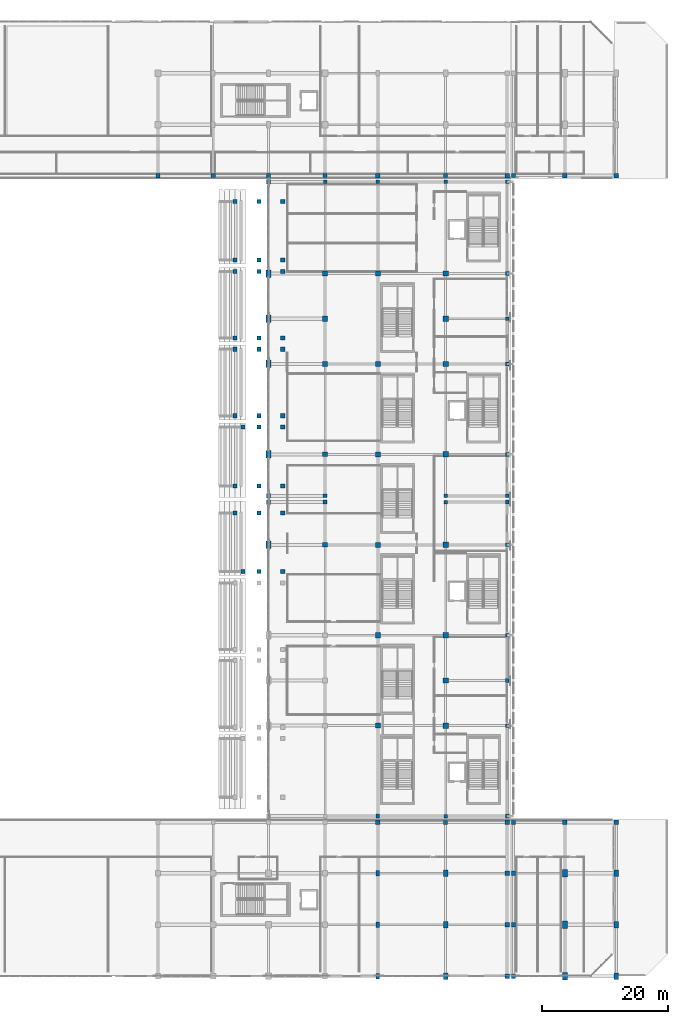
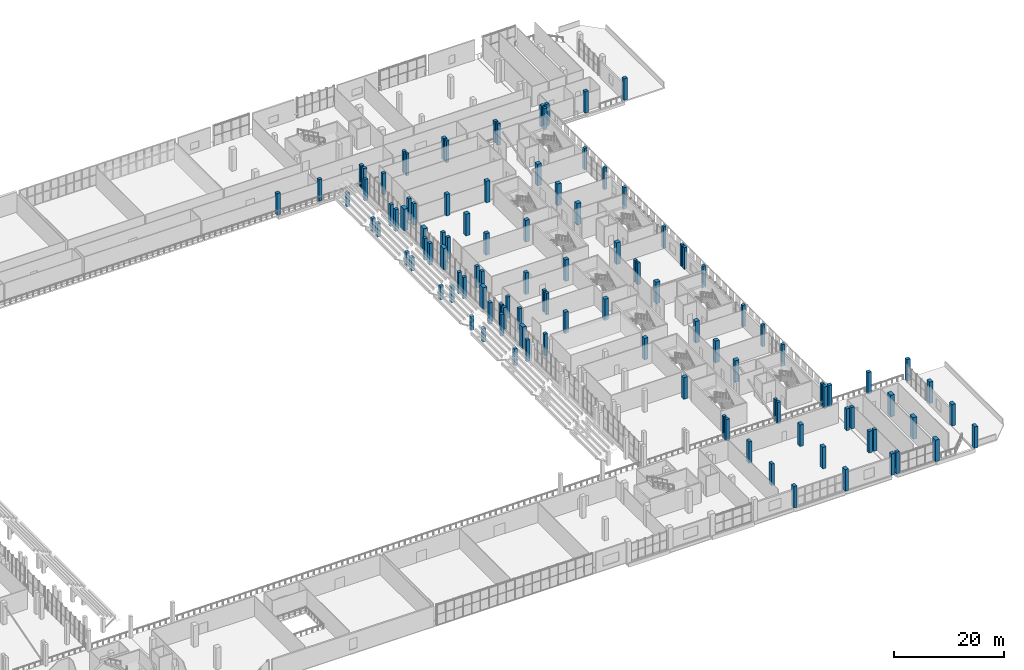
# One storey, part 9 of 142: 112 columns.
"""IFC4 building model written with IfcOpenShell, lengths in metres."""

import ifcopenshell
import ifcopenshell.guid

model = None  # the IFC model being written
_history = None  # IfcOwnerHistory: only IFC2X3 demands one
_inside = {}  # id of a spatial element -> (the spatial element, [elements in it])
_under = {}  # id of a project, library or spatial element -> (it, [spatial elements below it])
_declared = {}  # id of a project -> (the project, [libraries it declares])
_typed = {}  # id of a type object -> (the type object, [elements of that type])
_made_of = {}  # id of a material, layer set ... -> (it, [elements and type objects made of it])


def new_model(schema):
    """Start an empty IFC model of exactly this schema.

    Asked for "IFC4X3", IfcOpenShell would pick the latest addendum, in which some entities
    have other attributes; the version numbers below select the first issue.
    IFC2X3 requires an IfcOwnerHistory on every rooted entity: one is made here for all.
    """
    global model, _history
    if schema == "IFC4X3":
        model = ifcopenshell.file(schema_version=(4, 3, 0, 0))
    else:
        model = ifcopenshell.file(schema=schema)
    _inside.clear()
    _under.clear()
    _declared.clear()
    _typed.clear()
    _made_of.clear()
    _history = None
    if model.schema == "IFC2X3":
        org = make("IfcOrganization", Name="unknown")
        user = make(
            "IfcPersonAndOrganization",
            ThePerson=make("IfcPerson", FamilyName="unknown"),
            TheOrganization=org,
        )
        app = make(
            "IfcApplication",
            ApplicationDeveloper=org,
            Version="unknown",
            ApplicationFullName="unknown",
            ApplicationIdentifier="unknown",
        )
        _history = make(
            "IfcOwnerHistory",
            OwningUser=user,
            OwningApplication=app,
            ChangeAction="ADDED",
            CreationDate=0,
        )
    return model


def make(cls, **values):
    """One entity of the class cls with the attributes given. An attribute that is None is left unset."""
    return model.create_entity(
        cls, **{name: value for name, value in values.items() if value is not None}
    )


def rooted(cls, **values):
    """An entity with a GlobalId (a new one), such as an element, a storey or a relation."""
    return make(cls, GlobalId=ifcopenshell.guid.new(), OwnerHistory=_history, **values)


def si_unit(unit_type, name, prefix=None):
    """IfcSIUnit, for example si_unit("LENGTHUNIT", "METRE", prefix="MILLI")."""
    return make("IfcSIUnit", UnitType=unit_type, Prefix=prefix, Name=name)


def assignment(units):
    """IfcUnitAssignment: the units of a project."""
    return None if units is None else make("IfcUnitAssignment", Units=units)


def point(xyz):
    """IfcCartesianPoint."""
    return None if xyz is None else make("IfcCartesianPoint", Coordinates=xyz)


def direction(xyz):
    """IfcDirection."""
    return None if xyz is None else make("IfcDirection", DirectionRatios=xyz)


def frame(location, z_axis=None, x_axis=None):
    """IfcAxis2Placement3D, a coordinate frame: its origin and axes. An axis left out is left unset."""
    return make(
        "IfcAxis2Placement3D",
        Location=point(location),
        Axis=direction(z_axis),
        RefDirection=direction(x_axis),
    )


def frame_2d(location, x_axis=None):
    """IfcAxis2Placement2D, a coordinate frame in the plane: its origin and x axis."""
    return make(
        "IfcAxis2Placement2D", Location=point(location), RefDirection=direction(x_axis)
    )


def origin():
    """The frame at (0, 0, 0) with its axes left unset."""
    return frame((0.0, 0.0, 0.0))


def origin_2d():
    """The frame at (0, 0) in the plane with its x axis left unset."""
    return frame_2d((0.0, 0.0))


def place(relative_to, where):
    """IfcLocalPlacement: puts the frame where relative to a parent placement (None: the world)."""
    return make(
        "IfcLocalPlacement", PlacementRelTo=relative_to, RelativePlacement=where
    )


def context(
    kind, dimensions, precision=None, world=None, true_north=None, identifier=None
):
    """IfcGeometricRepresentationContext, for example the 3D "Model" context."""
    return make(
        "IfcGeometricRepresentationContext",
        ContextIdentifier=identifier,
        ContextType=kind,
        CoordinateSpaceDimension=dimensions,
        Precision=precision,
        WorldCoordinateSystem=world,
        TrueNorth=true_north,
    )


def subcontext(parent, identifier, kind, view, scale=None):
    """IfcGeometricRepresentationSubContext, for example "Body" below "Model"."""
    return make(
        "IfcGeometricRepresentationSubContext",
        ContextIdentifier=identifier,
        ContextType=kind,
        ParentContext=parent,
        TargetScale=scale,
        TargetView=view,
    )


def project(units=None, contexts=None):
    """IfcProject with its units and contexts."""
    return rooted(
        "IfcProject",
        Name="project",
        RepresentationContexts=contexts,
        UnitsInContext=assignment(units),
    )


def spatial(cls, under=None, at=None, **own):
    """A site, building, storey or space (cls), placed at a placement, below another one or the project."""
    s = rooted(cls, ObjectPlacement=at, **own)
    if under is not None:
        _under.setdefault(under.id(), (under, []))[1].append(s)
    return s


def profile(cls, at=None, kind="AREA", **sizes):
    """A parametric profile (cls). Its sizes go by their IFC names, for example OverallWidth=200.0."""
    return make(cls, ProfileType=kind, Position=at, **sizes)


def rectangle(**sizes):
    """IfcRectangleProfileDef."""
    return profile("IfcRectangleProfileDef", **sizes)


def extrude(swept, where, along, depth):
    """IfcExtrudedAreaSolid: the profile swept, set in the frame where, extruded along a direction by depth."""
    return make(
        "IfcExtrudedAreaSolid",
        SweptArea=swept,
        Position=where,
        ExtrudedDirection=direction(along),
        Depth=depth,
    )


def shape(context_of_items, identifier, shape_type, items):
    """IfcShapeRepresentation: the items that make up one representation, for example the "Body"."""
    return make(
        "IfcShapeRepresentation",
        ContextOfItems=context_of_items,
        RepresentationIdentifier=identifier,
        RepresentationType=shape_type,
        Items=items,
    )


def material(Name=None, Category=None):
    """IfcMaterial."""
    return make("IfcMaterial", Name=Name, Category=Category)


def material_profile(
    of_material, cross_section, Name=None, Category=None, Priority=None
):
    """IfcMaterialProfile: a cross section and its material."""
    return make(
        "IfcMaterialProfile",
        Name=Name,
        Material=of_material,
        Profile=cross_section,
        Priority=Priority,
        Category=Category,
    )


def profile_set(profiles, Name=None, composite=None):
    """IfcMaterialProfileSet."""
    return make(
        "IfcMaterialProfileSet",
        Name=Name,
        MaterialProfiles=profiles,
        CompositeProfile=composite,
    )


def made_of(thing, what):
    """Note that an element or type object is made of a material, layer set ...; save() writes the relation."""
    if what is not None:
        _made_of.setdefault(what.id(), (what, []))[1].append(thing)
    return thing


def type_object(cls, material=None, **own):
    """A type object (cls), such as IfcWallType, which elements share."""
    return made_of(rooted(cls, **own), material)


def element(
    cls,
    number,
    at=None,
    inside=None,
    cuts=None,
    type_object=None,
    material=None,
    context=None,
    identifier="Body",
    shape_type=None,
    held_by="IfcProductDefinitionShape",
    body=None,
    shapes=None,
    **own,
):
    """One element of the class cls, such as IfcWall. Its Tag is "e" and its number.

    at: its placement. inside: the storey or other place that contains it. cuts: it is an
    opening in that element (IfcRelVoidsElement). A single representation is given by context,
    identifier, shape_type and body (its items); several are given by shapes. held_by: the class
    of the entity that holds the representations. save() writes the other relations.
    """
    e = rooted(cls, Tag="e%d" % number, ObjectPlacement=at, **own)
    if body is not None:
        shapes = [shape(context, identifier, shape_type, body)]
    if shapes is not None:
        e.Representation = make(held_by, Representations=shapes)
    if inside is not None:
        _inside.setdefault(inside.id(), (inside, []))[1].append(e)
    if cuts is not None:
        rooted(
            "IfcRelVoidsElement", RelatingBuildingElement=cuts, RelatedOpeningElement=e
        )
    if type_object is not None:
        _typed.setdefault(type_object.id(), (type_object, []))[1].append(e)
    return made_of(e, material)


def aggregate(whole, parts):
    """IfcRelAggregates: a whole, such as a stair, and the parts it consists of."""
    return rooted("IfcRelAggregates", RelatingObject=whole, RelatedObjects=parts)


def save(model, path):
    """Write the relations noted so far, then the file.

    IfcRelAggregates (storeys below a building ...), IfcRelContainedInSpatialStructure (elements
    in a storey), IfcRelDefinesByType, IfcRelAssociatesMaterial and IfcRelDeclares: one each for
    every whole, place, type object, material and project.
    """
    for whole, parts in _under.values():
        aggregate(whole, parts)
    for where, things in _inside.values():
        rooted(
            "IfcRelContainedInSpatialStructure",
            RelatedElements=things,
            RelatingStructure=where,
        )
    for kind, things in _typed.values():
        rooted("IfcRelDefinesByType", RelatedObjects=things, RelatingType=kind)
    for what, things in _made_of.values():
        rooted("IfcRelAssociatesMaterial", RelatedObjects=things, RelatingMaterial=what)
    for by, libraries in _declared.values():
        rooted("IfcRelDeclares", RelatingContext=by, RelatedDefinitions=libraries)
    model.write(path)


model = new_model("IFC4")

# Units and contexts
model_context = context("Model", 3, precision=1e-05, world=origin(), true_north=direction((0.0, 1.0)))
body_context = subcontext(model_context, "Body", "Model", "MODEL_VIEW")
ifc_project = project(units=[si_unit("LENGTHUNIT", "METRE"), si_unit("AREAUNIT", "SQUARE_METRE"), si_unit("VOLUMEUNIT", "CUBIC_METRE"), si_unit("PLANEANGLEUNIT", "RADIAN"), si_unit("MASSUNIT", "GRAM", prefix="KILO")], contexts=[model_context])

# Site, building, storey
site_placement = place(None, origin())
site = spatial("IfcSite", under=ifc_project, at=site_placement, CompositionType="ELEMENT")
building_placement = place(site_placement, origin())
building = spatial("IfcBuilding", under=site, at=building_placement, Name="Koshinbarg Plaza Stadium", CompositionType="ELEMENT")
storey_placement = place(building_placement, frame((0.0, 0.0, 10.199951171875)))
storey = spatial("IfcBuildingStorey", under=building, at=storey_placement, Name="L02", CompositionType="ELEMENT", Elevation=10.199951171875)

# Columns
ifc_material = material(Name="Concrete C40/50", Category="concrete")
ifc_material_profile_1 = material_profile(ifc_material, rectangle(XDim=0.550048828125, YDim=0.550048828125, at=origin_2d()), Name="RC 550x550")
ifc_profile_set_1 = profile_set([ifc_material_profile_1], Name="Concrete C40/50")
column_type_1 = type_object("IfcColumnType", Name="COL-RC-03", PredefinedType="COLUMN", material=ifc_profile_set_1)
for number, where, z_axis, x_axis, name in (
    (1, (189.39990234375, 126.5, 0.0), (0.0, 0.0, 1.0), (1.0, 0.0, 0.0), "L02 column 18/R"),
    (2, (208.60009765625, 25.5, 0.0), (0.0, 0.0, 1.0), (1.0, 0.0, 0.0), "L02 column 20/E"),
    (3, (208.60009765625, 75.5, 0.0), (0.0, 0.0, 1.0), (1.0, 0.0, 0.0), "L02 column 20/K"),
    (4, (208.60009765625, 76.5, 0.0), (0.0, 0.0, 1.0), (1.0, 0.0, 0.0), "L02 column 20/L"),
    (5, (208.60009765625, 126.5, 0.0), (0.0, 0.0, 1.0), (1.0, 0.0, 0.0), "L02 column 20/R"),
):
    element("IfcColumn", number, at=place(storey_placement, frame(where, z_axis=z_axis, x_axis=x_axis)), inside=storey, type_object=column_type_1, Name=name, PredefinedType="COLUMN", context=body_context, shape_type="SweptSolid", body=[
        extrude(rectangle(XDim=0.550048828125, YDim=0.550048828125, at=origin_2d()), origin(), (0.0, 0.0, 1.0), 4.800048828125),
    ])
ifc_material_profile_2 = material_profile(ifc_material, rectangle(XDim=0.60009765625, YDim=0.60009765625, at=origin_2d()), Name="RC 600x600")
ifc_profile_set_2 = profile_set([ifc_material_profile_2], Name="Concrete C40/50")
column_type_2 = type_object("IfcColumnType", Name="COL-RC-04", PredefinedType="COLUMN", material=ifc_profile_set_2)
for number, where, z_axis, x_axis, name in (
    (6, (189.39990234375, 75.5, 0.0), (0.0, 0.0, 1.0), (1.0, 0.0, 0.0), "L02 column 18/K"),
    (7, (189.39990234375, 76.5, 0.0), (0.0, 0.0, 1.0), (1.0, 0.0, 0.0), "L02 column 18/L"),
    (8, (197.800048828125, 25.5, 0.0), (0.0, 0.0, 1.0), (1.0, 0.0, 0.0), "L02 column 19/E"),
    (9, (197.800048828125, 126.5, 0.0), (0.0, 0.0, 1.0), (1.0, 0.0, 0.0), "L02 column 19/R"),
    (10, (218.39990234375, 25.5, 0.0), (0.0, 0.0, 1.0), (1.0, 0.0, 0.0), "L02 column 21/E"),
    (11, (218.39990234375, 39.89990234375, 0.0), (0.0, 0.0, 1.0), (1.0, 0.0, 0.0), "L02 column 21/F"),
    (12, (218.39990234375, 47.10009765625, 0.0), (0.0, 0.0, 1.0), (1.0, 0.0, 0.0), "L02 column 21/G"),
    (13, (218.39990234375, 54.300048828125, 0.0), (0.0, 0.0, 1.0), (1.0, 0.0, 0.0), "L02 column 21/H"),
    (14, (218.39990234375, 68.699951171875, 0.0), (0.0, 0.0, 1.0), (1.0, 0.0, 0.0), "L02 column 21/J"),
    (15, (218.39990234375, 75.5, 0.0), (0.0, 0.0, 1.0), (1.0, 0.0, 0.0), "L02 column 21/K"),
    (16, (218.39990234375, 76.5, 0.0), (0.0, 0.0, 1.0), (1.0, 0.0, 0.0), "L02 column 21/L"),
    (17, (218.39990234375, 83.10009765625, 0.0), (0.0, 0.0, 1.0), (1.0, 0.0, 0.0), "L02 column 21/M"),
    (18, (218.39990234375, 97.5, 0.0), (0.0, 0.0, 1.0), (1.0, 0.0, 0.0), "L02 column 21/N"),
    (19, (218.39990234375, 104.699951171875, 0.0), (0.0, 0.0, 1.0), (1.0, 0.0, 0.0), "L02 column 21/P"),
    (20, (218.39990234375, 111.89990234375, 0.0), (0.0, 0.0, 1.0), (1.0, 0.0, 0.0), "L02 column 21/Q"),
    (21, (218.39990234375, 126.5, 0.0), (0.0, 0.0, 1.0), (1.0, 0.0, 0.0), "L02 column 21/R"),
):
    element("IfcColumn", number, at=place(storey_placement, frame(where, z_axis=z_axis, x_axis=x_axis)), inside=storey, type_object=column_type_2, Name=name, PredefinedType="COLUMN", context=body_context, shape_type="SweptSolid", body=[
        extrude(rectangle(XDim=0.60009765625, YDim=0.60009765625, at=origin_2d()), origin(), (0.0, 0.0, 1.0), 4.800048828125),
    ])
ifc_material_profile_3 = material_profile(ifc_material, rectangle(XDim=0.64990234375, YDim=0.64990234375, at=origin_2d()), Name="RC 650x650")
ifc_profile_set_3 = profile_set([ifc_material_profile_3], Name="Concrete C40/50")
column_type_3 = type_object("IfcColumnType", Name="COL-RC-05", PredefinedType="COLUMN", material=ifc_profile_set_3)
for number, where, z_axis, x_axis, name in (
    (22, (171.60009765625, 127.5, 0.0), (0.0, 0.0, 1.0), (1.0, 0.0, 0.0), "L02 column 16/S"),
    (23, (189.39990234375, 127.5, 0.0), (0.0, 0.0, 1.0), (1.0, 0.0, 0.0), "L02 column 18/S"),
    (24, (208.60009765625, 24.5, 0.0), (0.0, 0.0, 1.0), (1.0, 0.0, 0.0), "L02 column 20/D"),
    (25, (208.60009765625, 127.5, 0.0), (0.0, 0.0, 1.0), (1.0, 0.0, 0.0), "L02 column 20/S"),
    (26, (219.39990234375, 0.0, 0.0), (0.0, 0.0, 1.0), (1.0, 0.0, 0.0), "L02 column 22/A"),
    (27, (219.39990234375, 8.199951171875, 0.0), (0.0, 0.0, 1.0), (1.0, 0.0, 0.0), "L02 column 22/B"),
    (28, (219.39990234375, 16.39990234375, 0.0), (0.0, 0.0, 1.0), (1.0, 0.0, 0.0), "L02 column 22/C"),
    (29, (219.39990234375, 24.5, 0.0), (0.0, 0.0, 1.0), (1.0, 0.0, 0.0), "L02 column 22/D"),
    (30, (219.39990234375, 127.5, 0.0), (0.0, 0.0, 1.0), (1.0, 0.0, 0.0), "L02 column 22/S"),
):
    element("IfcColumn", number, at=place(storey_placement, frame(where, z_axis=z_axis, x_axis=x_axis)), inside=storey, type_object=column_type_3, Name=name, PredefinedType="COLUMN", context=body_context, shape_type="SweptSolid", body=[
        extrude(rectangle(XDim=0.64990234375, YDim=0.64990234375, at=origin_2d()), origin(), (0.0, 0.0, 1.0), 4.800048828125),
    ])
column_1_placement = place(storey_placement, frame((176.330078125, 64.449951171875, 0.0), z_axis=(0.0, 0.0, 1.0), x_axis=(1.0, 0.0, 0.0)))
element("IfcColumn", 31, at=column_1_placement, inside=storey, type_object=column_type_3, Name="L02 bowl raker column UT-E04-L-CF", PredefinedType="COLUMN", context=body_context, shape_type="SweptSolid", body=[
    extrude(rectangle(XDim=0.64990234375, YDim=0.64990234375, at=origin_2d()), origin(), (0.0, 0.0, 1.0), 3.7265625),
])
for number, where, z_axis, x_axis, name in (
    (32, (178.89990234375, 64.449951171875, 0.0), (0.0, 0.0, 1.0), (1.0, 0.0, 0.0), "L02 bowl raker column UT-E04-L-CM"),
    (33, (182.659912109375, 64.449951171875, 0.0), (0.0, 0.0, 1.0), (1.0, 0.0, 0.0), "L02 bowl raker column UT-E04-L-CB"),
):
    element("IfcColumn", number, at=place(storey_placement, frame(where, z_axis=z_axis, x_axis=x_axis)), inside=storey, type_object=column_type_3, Name=name, PredefinedType="COLUMN", context=body_context, shape_type="SweptSolid", body=[
        extrude(rectangle(XDim=0.64990234375, YDim=0.64990234375, at=origin_2d()), origin(), (0.0, 0.0, 1.0), 4.800048828125),
    ])
column_2_placement = place(storey_placement, frame((175.080078125, 73.800048828125, 0.0), z_axis=(0.0, 0.0, 1.0), x_axis=(1.0, 0.0, 0.0)))
element("IfcColumn", 34, at=column_2_placement, inside=storey, type_object=column_type_3, Name="L02 bowl raker column UT-E04-R-CF", PredefinedType="COLUMN", context=body_context, shape_type="SweptSolid", body=[
    extrude(rectangle(XDim=0.64990234375, YDim=0.64990234375, at=origin_2d()), origin(), (0.0, 0.0, 1.0), 3.082763671875),
])
for number, where, z_axis, x_axis, name in (
    (35, (178.89990234375, 73.800048828125, 0.0), (0.0, 0.0, 1.0), (1.0, 0.0, 0.0), "L02 bowl raker column UT-E04-R-CM"),
    (36, (182.659912109375, 73.800048828125, 0.0), (0.0, 0.0, 1.0), (1.0, 0.0, 0.0), "L02 bowl raker column UT-E04-R-CB"),
):
    element("IfcColumn", number, at=place(storey_placement, frame(where, z_axis=z_axis, x_axis=x_axis)), inside=storey, type_object=column_type_3, Name=name, PredefinedType="COLUMN", context=body_context, shape_type="SweptSolid", body=[
        extrude(rectangle(XDim=0.64990234375, YDim=0.64990234375, at=origin_2d()), origin(), (0.0, 0.0, 1.0), 4.800048828125),
    ])
column_3_placement = place(storey_placement, frame((175.080078125, 78.10009765625, 0.0), z_axis=(0.0, 0.0, 1.0), x_axis=(1.0, 0.0, 0.0)))
element("IfcColumn", 37, at=column_3_placement, inside=storey, type_object=column_type_3, Name="L02 bowl raker column UT-E05-L-CF", PredefinedType="COLUMN", context=body_context, shape_type="SweptSolid", body=[
    extrude(rectangle(XDim=0.64990234375, YDim=0.64990234375, at=origin_2d()), origin(), (0.0, 0.0, 1.0), 3.082763671875),
])
for number, where, z_axis, x_axis, name in (
    (38, (178.89990234375, 78.10009765625, 0.0), (0.0, 0.0, 1.0), (1.0, 0.0, 0.0), "L02 bowl raker column UT-E05-L-CM"),
    (39, (182.659912109375, 78.10009765625, 0.0), (0.0, 0.0, 1.0), (1.0, 0.0, 0.0), "L02 bowl raker column UT-E05-L-CB"),
):
    element("IfcColumn", number, at=place(storey_placement, frame(where, z_axis=z_axis, x_axis=x_axis)), inside=storey, type_object=column_type_3, Name=name, PredefinedType="COLUMN", context=body_context, shape_type="SweptSolid", body=[
        extrude(rectangle(XDim=0.64990234375, YDim=0.64990234375, at=origin_2d()), origin(), (0.0, 0.0, 1.0), 4.800048828125),
    ])
column_4_placement = place(storey_placement, frame((176.330078125, 87.449951171875, 0.0), z_axis=(0.0, 0.0, 1.0), x_axis=(1.0, 0.0, 0.0)))
element("IfcColumn", 40, at=column_4_placement, inside=storey, type_object=column_type_3, Name="L02 bowl raker column UT-E05-R-CF", PredefinedType="COLUMN", context=body_context, shape_type="SweptSolid", body=[
    extrude(rectangle(XDim=0.64990234375, YDim=0.64990234375, at=origin_2d()), origin(), (0.0, 0.0, 1.0), 3.7265625),
])
for number, where, z_axis, x_axis, name in (
    (41, (178.89990234375, 87.449951171875, 0.0), (0.0, 0.0, 1.0), (1.0, 0.0, 0.0), "L02 bowl raker column UT-E05-R-CM"),
    (42, (182.659912109375, 87.449951171875, 0.0), (0.0, 0.0, 1.0), (1.0, 0.0, 0.0), "L02 bowl raker column UT-E05-R-CB"),
):
    element("IfcColumn", number, at=place(storey_placement, frame(where, z_axis=z_axis, x_axis=x_axis)), inside=storey, type_object=column_type_3, Name=name, PredefinedType="COLUMN", context=body_context, shape_type="SweptSolid", body=[
        extrude(rectangle(XDim=0.64990234375, YDim=0.64990234375, at=origin_2d()), origin(), (0.0, 0.0, 1.0), 4.800048828125),
    ])
column_5_placement = place(storey_placement, frame((175.080078125, 89.25, 0.0), z_axis=(0.0, 0.0, 1.0), x_axis=(1.0, 0.0, 0.0)))
element("IfcColumn", 43, at=column_5_placement, inside=storey, type_object=column_type_3, Name="L02 bowl raker column UT-E06-L-CF", PredefinedType="COLUMN", context=body_context, shape_type="SweptSolid", body=[
    extrude(rectangle(XDim=0.64990234375, YDim=0.64990234375, at=origin_2d()), origin(), (0.0, 0.0, 1.0), 3.082763671875),
])
for number, where, z_axis, x_axis, name in (
    (44, (178.89990234375, 89.25, 0.0), (0.0, 0.0, 1.0), (1.0, 0.0, 0.0), "L02 bowl raker column UT-E06-L-CM"),
    (45, (182.659912109375, 89.25, 0.0), (0.0, 0.0, 1.0), (1.0, 0.0, 0.0), "L02 bowl raker column UT-E06-L-CB"),
):
    element("IfcColumn", number, at=place(storey_placement, frame(where, z_axis=z_axis, x_axis=x_axis)), inside=storey, type_object=column_type_3, Name=name, PredefinedType="COLUMN", context=body_context, shape_type="SweptSolid", body=[
        extrude(rectangle(XDim=0.64990234375, YDim=0.64990234375, at=origin_2d()), origin(), (0.0, 0.0, 1.0), 4.800048828125),
    ])
column_6_placement = place(storey_placement, frame((175.080078125, 99.85009765625, 0.0), z_axis=(0.0, 0.0, 1.0), x_axis=(1.0, 0.0, 0.0)))
element("IfcColumn", 46, at=column_6_placement, inside=storey, type_object=column_type_3, Name="L02 bowl raker column UT-E06-R-CF", PredefinedType="COLUMN", context=body_context, shape_type="SweptSolid", body=[
    extrude(rectangle(XDim=0.64990234375, YDim=0.64990234375, at=origin_2d()), origin(), (0.0, 0.0, 1.0), 3.082763671875),
])
for number, where, z_axis, x_axis, name in (
    (47, (178.89990234375, 99.85009765625, 0.0), (0.0, 0.0, 1.0), (1.0, 0.0, 0.0), "L02 bowl raker column UT-E06-R-CM"),
    (48, (182.659912109375, 99.85009765625, 0.0), (0.0, 0.0, 1.0), (1.0, 0.0, 0.0), "L02 bowl raker column UT-E06-R-CB"),
):
    element("IfcColumn", number, at=place(storey_placement, frame(where, z_axis=z_axis, x_axis=x_axis)), inside=storey, type_object=column_type_3, Name=name, PredefinedType="COLUMN", context=body_context, shape_type="SweptSolid", body=[
        extrude(rectangle(XDim=0.64990234375, YDim=0.64990234375, at=origin_2d()), origin(), (0.0, 0.0, 1.0), 4.800048828125),
    ])
column_7_placement = place(storey_placement, frame((175.080078125, 101.64990234375, 0.0), z_axis=(0.0, 0.0, 1.0), x_axis=(1.0, 0.0, 0.0)))
element("IfcColumn", 49, at=column_7_placement, inside=storey, type_object=column_type_3, Name="L02 bowl raker column UT-E07-L-CF", PredefinedType="COLUMN", context=body_context, shape_type="SweptSolid", body=[
    extrude(rectangle(XDim=0.64990234375, YDim=0.64990234375, at=origin_2d()), origin(), (0.0, 0.0, 1.0), 3.082763671875),
])
for number, where, z_axis, x_axis, name in (
    (50, (178.89990234375, 101.64990234375, 0.0), (0.0, 0.0, 1.0), (1.0, 0.0, 0.0), "L02 bowl raker column UT-E07-L-CM"),
    (51, (182.659912109375, 101.64990234375, 0.0), (0.0, 0.0, 1.0), (1.0, 0.0, 0.0), "L02 bowl raker column UT-E07-L-CB"),
):
    element("IfcColumn", number, at=place(storey_placement, frame(where, z_axis=z_axis, x_axis=x_axis)), inside=storey, type_object=column_type_3, Name=name, PredefinedType="COLUMN", context=body_context, shape_type="SweptSolid", body=[
        extrude(rectangle(XDim=0.64990234375, YDim=0.64990234375, at=origin_2d()), origin(), (0.0, 0.0, 1.0), 4.800048828125),
    ])
column_8_placement = place(storey_placement, frame((175.080078125, 112.25, 0.0), z_axis=(0.0, 0.0, 1.0), x_axis=(1.0, 0.0, 0.0)))
element("IfcColumn", 52, at=column_8_placement, inside=storey, type_object=column_type_3, Name="L02 bowl raker column UT-E07-R-CF", PredefinedType="COLUMN", context=body_context, shape_type="SweptSolid", body=[
    extrude(rectangle(XDim=0.64990234375, YDim=0.64990234375, at=origin_2d()), origin(), (0.0, 0.0, 1.0), 3.082763671875),
])
for number, where, z_axis, x_axis, name in (
    (53, (178.89990234375, 112.25, 0.0), (0.0, 0.0, 1.0), (1.0, 0.0, 0.0), "L02 bowl raker column UT-E07-R-CM"),
    (54, (182.659912109375, 112.25, 0.0), (0.0, 0.0, 1.0), (1.0, 0.0, 0.0), "L02 bowl raker column UT-E07-R-CB"),
):
    element("IfcColumn", number, at=place(storey_placement, frame(where, z_axis=z_axis, x_axis=x_axis)), inside=storey, type_object=column_type_3, Name=name, PredefinedType="COLUMN", context=body_context, shape_type="SweptSolid", body=[
        extrude(rectangle(XDim=0.64990234375, YDim=0.64990234375, at=origin_2d()), origin(), (0.0, 0.0, 1.0), 4.800048828125),
    ])
column_9_placement = place(storey_placement, frame((175.080078125, 114.050048828125, 0.0), z_axis=(0.0, 0.0, 1.0), x_axis=(1.0, 0.0, 0.0)))
element("IfcColumn", 55, at=column_9_placement, inside=storey, type_object=column_type_3, Name="L02 bowl raker column UT-E08-L-CF", PredefinedType="COLUMN", context=body_context, shape_type="SweptSolid", body=[
    extrude(rectangle(XDim=0.64990234375, YDim=0.64990234375, at=origin_2d()), origin(), (0.0, 0.0, 1.0), 3.082763671875),
])
for number, where, z_axis, x_axis, name in (
    (56, (178.89990234375, 114.050048828125, 0.0), (0.0, 0.0, 1.0), (1.0, 0.0, 0.0), "L02 bowl raker column UT-E08-L-CM"),
    (57, (182.659912109375, 114.050048828125, 0.0), (0.0, 0.0, 1.0), (1.0, 0.0, 0.0), "L02 bowl raker column UT-E08-L-CB"),
):
    element("IfcColumn", number, at=place(storey_placement, frame(where, z_axis=z_axis, x_axis=x_axis)), inside=storey, type_object=column_type_3, Name=name, PredefinedType="COLUMN", context=body_context, shape_type="SweptSolid", body=[
        extrude(rectangle(XDim=0.64990234375, YDim=0.64990234375, at=origin_2d()), origin(), (0.0, 0.0, 1.0), 4.800048828125),
    ])
column_10_placement = place(storey_placement, frame((175.080078125, 123.39990234375, 0.0), z_axis=(0.0, 0.0, 1.0), x_axis=(1.0, 0.0, 0.0)))
element("IfcColumn", 58, at=column_10_placement, inside=storey, type_object=column_type_3, Name="L02 bowl raker column UT-E08-R-CF", PredefinedType="COLUMN", context=body_context, shape_type="SweptSolid", body=[
    extrude(rectangle(XDim=0.64990234375, YDim=0.64990234375, at=origin_2d()), origin(), (0.0, 0.0, 1.0), 3.082763671875),
])
for number, where, z_axis, x_axis, name in (
    (59, (178.89990234375, 123.39990234375, 0.0), (0.0, 0.0, 1.0), (1.0, 0.0, 0.0), "L02 bowl raker column UT-E08-R-CM"),
    (60, (182.659912109375, 123.39990234375, 0.0), (0.0, 0.0, 1.0), (1.0, 0.0, 0.0), "L02 bowl raker column UT-E08-R-CB"),
):
    element("IfcColumn", number, at=place(storey_placement, frame(where, z_axis=z_axis, x_axis=x_axis)), inside=storey, type_object=column_type_3, Name=name, PredefinedType="COLUMN", context=body_context, shape_type="SweptSolid", body=[
        extrude(rectangle(XDim=0.64990234375, YDim=0.64990234375, at=origin_2d()), origin(), (0.0, 0.0, 1.0), 4.800048828125),
    ])
ifc_material_profile_4 = material_profile(ifc_material, rectangle(XDim=0.699951171875, YDim=0.699951171875, at=origin_2d()), Name="RC 700x700")
ifc_profile_set_4 = profile_set([ifc_material_profile_4], Name="Concrete C40/50")
column_type_4 = type_object("IfcColumnType", Name="COL-RC-06", PredefinedType="COLUMN", material=ifc_profile_set_4)
for number, where, z_axis, x_axis, name in (
    (61, (162.800048828125, 127.5, 0.0), (0.0, 0.0, 1.0), (1.0, 0.0, 0.0), "L02 column 15/S"),
    (62, (180.39990234375, 75.5, 0.0), (0.0, 0.0, 1.0), (1.0, 0.0, 0.0), "L02 column 17/K"),
    (63, (180.39990234375, 76.5, 0.0), (0.0, 0.0, 1.0), (1.0, 0.0, 0.0), "L02 column 17/L"),
    (64, (180.39990234375, 126.5, 0.0), (0.0, 0.0, 1.0), (1.0, 0.0, 0.0), "L02 column 17/R"),
    (65, (180.39990234375, 127.5, 0.0), (0.0, 0.0, 1.0), (1.0, 0.0, 0.0), "L02 column 17/S"),
    (66, (197.800048828125, 24.5, 0.0), (0.0, 0.0, 1.0), (1.0, 0.0, 0.0), "L02 column 19/D"),
    (67, (197.800048828125, 127.5, 0.0), (0.0, 0.0, 1.0), (1.0, 0.0, 0.0), "L02 column 19/S"),
    (68, (218.39990234375, 0.0, 0.0), (0.0, 0.0, 1.0), (1.0, 0.0, 0.0), "L02 column 21/A"),
    (69, (218.39990234375, 8.199951171875, 0.0), (0.0, 0.0, 1.0), (1.0, 0.0, 0.0), "L02 column 21/B"),
    (70, (218.39990234375, 16.39990234375, 0.0), (0.0, 0.0, 1.0), (1.0, 0.0, 0.0), "L02 column 21/C"),
    (71, (218.39990234375, 24.5, 0.0), (0.0, 0.0, 1.0), (1.0, 0.0, 0.0), "L02 column 21/D"),
    (72, (218.39990234375, 127.5, 0.0), (0.0, 0.0, 1.0), (1.0, 0.0, 0.0), "L02 column 21/S"),
    (73, (227.60009765625, 24.5, 0.0), (0.0, 0.0, 1.0), (1.0, 0.0, 0.0), "L02 column 23/D"),
    (74, (227.60009765625, 127.5, 0.0), (0.0, 0.0, 1.0), (1.0, 0.0, 0.0), "L02 column 23/S"),
    (75, (235.800048828125, 24.5, 0.0), (0.0, 0.0, 1.0), (1.0, 0.0, 0.0), "L02 column 24/D"),
    (76, (235.800048828125, 127.5, 0.0), (0.0, 0.0, 1.0), (1.0, 0.0, 0.0), "L02 column 24/S"),
):
    element("IfcColumn", number, at=place(storey_placement, frame(where, z_axis=z_axis, x_axis=x_axis)), inside=storey, type_object=column_type_4, Name=name, PredefinedType="COLUMN", context=body_context, shape_type="SweptSolid", body=[
        extrude(rectangle(XDim=0.699951171875, YDim=0.699951171875, at=origin_2d()), origin(), (0.0, 0.0, 1.0), 4.800048828125),
    ])
ifc_material_profile_5 = material_profile(ifc_material, rectangle(XDim=0.75, YDim=0.75, at=origin_2d()), Name="RC 750x750")
ifc_profile_set_5 = profile_set([ifc_material_profile_5], Name="Concrete C40/50")
column_type_5 = type_object("IfcColumnType", Name="COL-RC-07", PredefinedType="COLUMN", material=ifc_profile_set_5)
for number, where, z_axis, x_axis, name in (
    (77, (189.39990234375, 68.699951171875, 0.0), (0.0, 0.0, 1.0), (1.0, 0.0, 0.0), "L02 column 18/J"),
    (78, (189.39990234375, 83.10009765625, 0.0), (0.0, 0.0, 1.0), (1.0, 0.0, 0.0), "L02 column 18/M"),
    (79, (189.39990234375, 97.5, 0.0), (0.0, 0.0, 1.0), (1.0, 0.0, 0.0), "L02 column 18/N"),
    (80, (189.39990234375, 111.89990234375, 0.0), (0.0, 0.0, 1.0), (1.0, 0.0, 0.0), "L02 column 18/Q"),
):
    element("IfcColumn", number, at=place(storey_placement, frame(where, z_axis=z_axis, x_axis=x_axis)), inside=storey, type_object=column_type_5, Name=name, PredefinedType="COLUMN", context=body_context, shape_type="SweptSolid", body=[
        extrude(rectangle(XDim=0.75, YDim=0.75, at=origin_2d()), origin(), (0.0, 0.0, 1.0), 4.800048828125),
    ])
ifc_material_profile_6 = material_profile(ifc_material, rectangle(XDim=0.800048828125, YDim=0.800048828125, at=origin_2d()), Name="RC 800x800")
ifc_profile_set_6 = profile_set([ifc_material_profile_6], Name="Concrete C40/50")
column_type_6 = type_object("IfcColumnType", Name="COL-RC-08", PredefinedType="COLUMN", material=ifc_profile_set_6)
for number, where, z_axis, x_axis, name in (
    (81, (197.800048828125, 39.89990234375, 0.0), (0.0, 0.0, 1.0), (1.0, 0.0, 0.0), "L02 column 19/F"),
    (82, (197.800048828125, 54.300048828125, 0.0), (0.0, 0.0, 1.0), (1.0, 0.0, 0.0), "L02 column 19/H"),
    (83, (197.800048828125, 68.699951171875, 0.0), (0.0, 0.0, 1.0), (1.0, 0.0, 0.0), "L02 column 19/J"),
    (84, (197.800048828125, 83.10009765625, 0.0), (0.0, 0.0, 1.0), (1.0, 0.0, 0.0), "L02 column 19/M"),
    (85, (197.800048828125, 97.5, 0.0), (0.0, 0.0, 1.0), (1.0, 0.0, 0.0), "L02 column 19/N"),
    (86, (197.800048828125, 111.89990234375, 0.0), (0.0, 0.0, 1.0), (1.0, 0.0, 0.0), "L02 column 19/Q"),
):
    element("IfcColumn", number, at=place(storey_placement, frame(where, z_axis=z_axis, x_axis=x_axis)), inside=storey, type_object=column_type_6, Name=name, PredefinedType="COLUMN", context=body_context, shape_type="SweptSolid", body=[
        extrude(rectangle(XDim=0.800048828125, YDim=0.800048828125, at=origin_2d()), origin(), (0.0, 0.0, 1.0), 4.800048828125),
    ])
ifc_material_profile_7 = material_profile(ifc_material, rectangle(XDim=0.85009765625, YDim=0.85009765625, at=origin_2d()), Name="RC 850x850")
ifc_profile_set_7 = profile_set([ifc_material_profile_7], Name="Concrete C40/50")
column_type_7 = type_object("IfcColumnType", Name="COL-RC-09", PredefinedType="COLUMN", material=ifc_profile_set_7)
for number, where, z_axis, x_axis, name in (
    (87, (189.39990234375, 104.699951171875, 0.0), (0.0, 0.0, 1.0), (1.0, 0.0, 0.0), "L02 column 18/P"),
    (88, (208.60009765625, 39.89990234375, 0.0), (0.0, 0.0, 1.0), (1.0, 0.0, 0.0), "L02 column 20/F"),
    (89, (208.60009765625, 47.10009765625, 0.0), (0.0, 0.0, 1.0), (1.0, 0.0, 0.0), "L02 column 20/G"),
    (90, (208.60009765625, 54.300048828125, 0.0), (0.0, 0.0, 1.0), (1.0, 0.0, 0.0), "L02 column 20/H"),
    (91, (208.60009765625, 68.699951171875, 0.0), (0.0, 0.0, 1.0), (1.0, 0.0, 0.0), "L02 column 20/J"),
    (92, (208.60009765625, 83.10009765625, 0.0), (0.0, 0.0, 1.0), (1.0, 0.0, 0.0), "L02 column 20/M"),
    (93, (208.60009765625, 97.5, 0.0), (0.0, 0.0, 1.0), (1.0, 0.0, 0.0), "L02 column 20/N"),
    (94, (208.60009765625, 104.699951171875, 0.0), (0.0, 0.0, 1.0), (1.0, 0.0, 0.0), "L02 column 20/P"),
    (95, (208.60009765625, 111.89990234375, 0.0), (0.0, 0.0, 1.0), (1.0, 0.0, 0.0), "L02 column 20/Q"),
):
    element("IfcColumn", number, at=place(storey_placement, frame(where, z_axis=z_axis, x_axis=x_axis)), inside=storey, type_object=column_type_7, Name=name, PredefinedType="COLUMN", context=body_context, shape_type="SweptSolid", body=[
        extrude(rectangle(XDim=0.85009765625, YDim=0.85009765625, at=origin_2d()), origin(), (0.0, 0.0, 1.0), 4.800048828125),
    ])
ifc_material_profile_8 = material_profile(ifc_material, rectangle(XDim=0.60009765625, YDim=0.89990234375, at=origin_2d()), Name="RC 600x900")
ifc_profile_set_8 = profile_set([ifc_material_profile_8], Name="Concrete C40/50")
column_type_8 = type_object("IfcColumnType", Name="COL-RC-12", PredefinedType="COLUMN", material=ifc_profile_set_8)
for number, where, z_axis, x_axis, name in (
    (96, (197.800048828125, 0.0, 0.0), (0.0, 0.0, 1.0), (1.0, 0.0, 0.0), "L02 column 19/A"),
    (97, (197.800048828125, 8.199951171875, 0.0), (0.0, 0.0, 1.0), (1.0, 0.0, 0.0), "L02 column 19/B"),
    (98, (197.800048828125, 16.39990234375, 0.0), (0.0, 0.0, 1.0), (1.0, 0.0, 0.0), "L02 column 19/C"),
):
    element("IfcColumn", number, at=place(storey_placement, frame(where, z_axis=z_axis, x_axis=x_axis)), inside=storey, type_object=column_type_8, Name=name, PredefinedType="COLUMN", context=body_context, shape_type="SweptSolid", body=[
        extrude(rectangle(XDim=0.60009765625, YDim=0.89990234375, at=origin_2d()), origin(), (0.0, 0.0, 1.0), 4.800048828125),
    ])
ifc_material_profile_9 = material_profile(ifc_material, rectangle(XDim=0.699951171875, YDim=1.0, at=origin_2d()), Name="RC 700x1000")
ifc_profile_set_9 = profile_set([ifc_material_profile_9], Name="Concrete C40/50")
column_type_9 = type_object("IfcColumnType", Name="COL-RC-13", PredefinedType="COLUMN", material=ifc_profile_set_9)
for number, where, z_axis, x_axis, name in (
    (99, (208.60009765625, 0.0, 0.0), (0.0, 0.0, 1.0), (1.0, 0.0, 0.0), "L02 column 20/A"),
    (100, (208.60009765625, 8.199951171875, 0.0), (0.0, 0.0, 1.0), (1.0, 0.0, 0.0), "L02 column 20/B"),
    (101, (208.60009765625, 16.39990234375, 0.0), (0.0, 0.0, 1.0), (1.0, 0.0, 0.0), "L02 column 20/C"),
    (102, (235.800048828125, 0.0, 0.0), (0.0, 0.0, 1.0), (1.0, 0.0, 0.0), "L02 column 24/A"),
    (103, (235.800048828125, 8.199951171875, 0.0), (0.0, 0.0, 1.0), (1.0, 0.0, 0.0), "L02 column 24/B"),
    (104, (235.800048828125, 16.39990234375, 0.0), (0.0, 0.0, 1.0), (1.0, 0.0, 0.0), "L02 column 24/C"),
):
    element("IfcColumn", number, at=place(storey_placement, frame(where, z_axis=z_axis, x_axis=x_axis)), inside=storey, type_object=column_type_9, Name=name, PredefinedType="COLUMN", context=body_context, shape_type="SweptSolid", body=[
        extrude(rectangle(XDim=0.699951171875, YDim=1.0, at=origin_2d()), origin(), (0.0, 0.0, 1.0), 4.800048828125),
    ])
ifc_material_profile_10 = material_profile(ifc_material, rectangle(XDim=0.800048828125, YDim=1.199951171875, at=origin_2d()), Name="RC 800x1200")
ifc_profile_set_10 = profile_set([ifc_material_profile_10], Name="Concrete C40/50")
column_type_10 = type_object("IfcColumnType", Name="COL-RC-14", PredefinedType="COLUMN", material=ifc_profile_set_10)
for number, where, z_axis, x_axis, name in (
    (105, (180.39990234375, 68.699951171875, 0.0), (0.0, 0.0, 1.0), (1.0, 0.0, 0.0), "L02 column 17/J"),
    (106, (180.39990234375, 83.10009765625, 0.0), (0.0, 0.0, 1.0), (1.0, 0.0, 0.0), "L02 column 17/M"),
    (107, (180.39990234375, 97.5, 0.0), (0.0, 0.0, 1.0), (1.0, 0.0, 0.0), "L02 column 17/N"),
    (108, (180.39990234375, 104.699951171875, 0.0), (0.0, 0.0, 1.0), (1.0, 0.0, 0.0), "L02 column 17/P"),
    (109, (180.39990234375, 111.89990234375, 0.0), (0.0, 0.0, 1.0), (1.0, 0.0, 0.0), "L02 column 17/Q"),
    (110, (227.60009765625, 0.0, 0.0), (0.0, 0.0, 1.0), (1.0, 0.0, 0.0), "L02 column 23/A"),
    (111, (227.60009765625, 8.199951171875, 0.0), (0.0, 0.0, 1.0), (1.0, 0.0, 0.0), "L02 column 23/B"),
    (112, (227.60009765625, 16.39990234375, 0.0), (0.0, 0.0, 1.0), (1.0, 0.0, 0.0), "L02 column 23/C"),
):
    element("IfcColumn", number, at=place(storey_placement, frame(where, z_axis=z_axis, x_axis=x_axis)), inside=storey, type_object=column_type_10, Name=name, PredefinedType="COLUMN", context=body_context, shape_type="SweptSolid", body=[
        extrude(rectangle(XDim=0.800048828125, YDim=1.199951171875, at=origin_2d()), origin(), (0.0, 0.0, 1.0), 4.800048828125),
    ])

save(model, "model.ifc")
